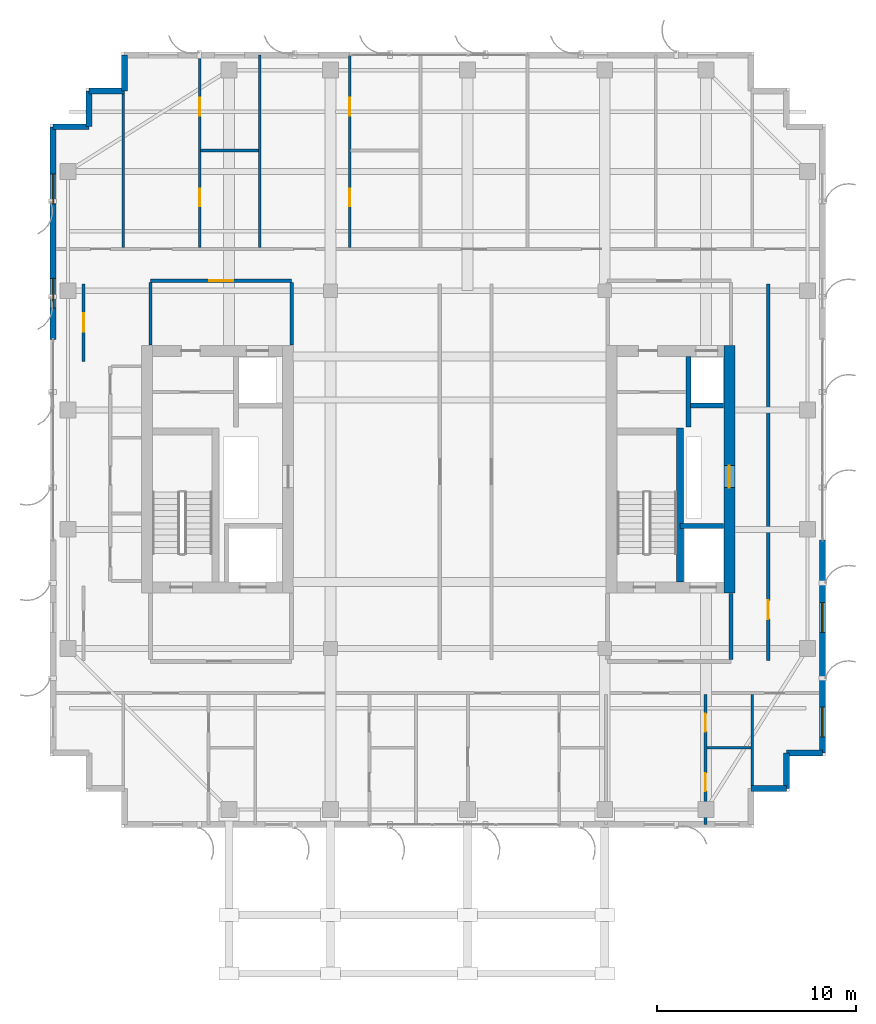
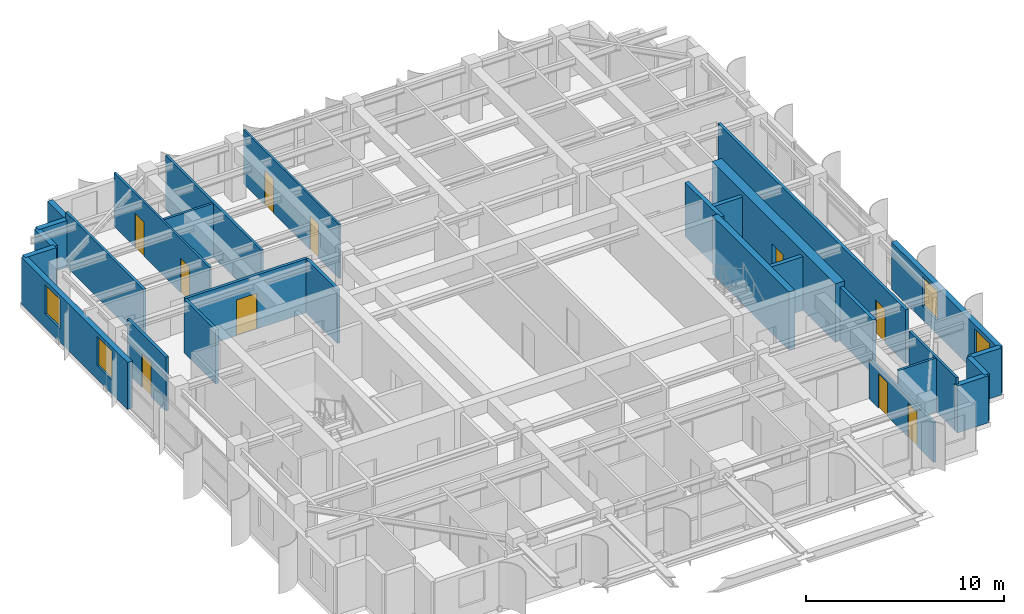
# One storey, part 16 of 19: 28 walls, 10 doors, 4 windows, 14 openings.
"""IFC4 building model written with IfcOpenShell, lengths in metres."""

from ifc_helpers import new_model, si_unit, direction, frame, frame_2d, origin, place, context, subcontext, project, spatial, rectangle, extrude, source, transform, mapped, material, layer, layer_set, type_object, element, fill, save


model = new_model("IFC4")

# Units and contexts
model_context = context("Model", 3, precision=1e-05, world=origin(), true_north=direction((0.0, 1.0)))
body_context = subcontext(model_context, "Body", "Model", "MODEL_VIEW")
ifc_project = project(units=[si_unit("LENGTHUNIT", "METRE"), si_unit("AREAUNIT", "SQUARE_METRE"), si_unit("VOLUMEUNIT", "CUBIC_METRE"), si_unit("PLANEANGLEUNIT", "RADIAN"), si_unit("MASSUNIT", "GRAM", prefix="KILO")], contexts=[model_context])

# Site, building, storey
site_placement = place(None, origin())
site = spatial("IfcSite", under=ifc_project, at=site_placement, CompositionType="ELEMENT")
building_placement = place(site_placement, origin())
building = spatial("IfcBuilding", under=site, at=building_placement, Name="Khoralis Quay Care Tower", CompositionType="ELEMENT")
storey_placement = place(building_placement, frame((0.0, 0.0, 281.699951171875)))
storey = spatial("IfcBuildingStorey", under=building, at=storey_placement, Name="L74", CompositionType="ELEMENT", Elevation=281.699951171875)

# Wall
ifc_material_1 = material(Name="Gypsum plasterboard on acoustic metal stud")
ifc_layer_1 = layer(ifc_material_1, 0.199951171875)
ifc_layer_set_1 = layer_set([ifc_layer_1], Name="Gypsum plasterboard on acoustic metal stud")
wall_type_1 = type_object("IfcWallType", Name="WL-COMP-200", PredefinedType="PARTITIONING", material=ifc_layer_set_1)
wall_1_placement = place(storey_placement, frame((37.25, 11.445068359375, 0.0), z_axis=(0.0, 0.0, 1.0), x_axis=(0.0, 1.0, 0.0)))
element("IfcWall", 1, at=wall_1_placement, inside=storey, type_object=wall_type_1, Name="L74 East Firefighting Lobby East Wall", PredefinedType="PARTITIONING", context=body_context, shape_type="SweptSolid", body=[
    extrude(rectangle(XDim=3.3349609375, YDim=0.199951171875, at=frame_2d((1.66748046875, 0.0))), origin(), (0.0, 0.0, 1.0), 3.320068359375),
])

# Wall, opening, door
ifc_material_2 = material(Name="Concrete C65/80", Category="concrete")
ifc_layer_2 = layer(ifc_material_2, 0.550048828125)
ifc_layer_set_2 = layer_set([ifc_layer_2], Name="Concrete C65/80")
wall_type_2 = type_object("IfcWallType", Name="WL-CORE-550", PredefinedType="SHEAR", material=ifc_layer_set_2)
wall_2_placement = place(storey_placement, frame((37.175048828125, 14.800048828125, 0.0), z_axis=(0.0, 0.0, 1.0), x_axis=(0.0, 1.0, 0.0)))
wall_2 = element("IfcWall", 2, at=wall_2_placement, inside=storey, type_object=wall_type_2, Name="L74 ECORE East Shear Wall", PredefinedType="SHEAR", context=body_context, shape_type="SweptSolid", body=[
    extrude(rectangle(XDim=12.449951171875, YDim=0.550048828125, at=frame_2d((6.22509765625, 0.0))), origin(), (0.0, 0.0, 1.0), 3.60009765625),
])
opening_1_placement = place(wall_2_placement, frame((5.300048828125, 0.0, 0.0)))
opening_1 = element("IfcOpeningElement", 3, at=opening_1_placement, cuts=wall_2, Name="Opening SD1", PredefinedType="OPENING", context=body_context, shape_type="SweptSolid", body=[
    extrude(rectangle(XDim=1.10009765625, YDim=2.199951171875, at=frame_2d((0.550048828125, 1.10009765625))), frame((0.0, 0.28515625, 0.0), z_axis=(0.0, -1.0, 0.0), x_axis=(1.0, 0.0, 0.0)), (0.0, 0.0, 1.0), 0.570068359375),
])
ifc_material_3 = material(Name="Fire-rated painted steel", Category="steel")
door_type_1 = type_object("IfcDoorType", Name="DR-STAIR-1100X2200", OperationType="NOTDEFINED", PredefinedType="DOOR", material=ifc_material_3)
shared_shape_1 = source(origin(), body_context, "Body", "SweptSolid", [
    extrude(rectangle(XDim=1.10009765625, YDim=2.199951171875, at=frame_2d((0.550048828125, 1.10009765625))), frame((0.0, 0.02490234375, 0.0), z_axis=(0.0, -1.0, 0.0), x_axis=(1.0, 0.0, 0.0)), (0.0, 0.0, 1.0), 0.050048828125),
])
door_1_placement = place(opening_1_placement, frame((1.10009765625, 0.0, 0.0), z_axis=(0.0, 0.0, 1.0), x_axis=(-1.0, 0.0, 0.0)))
door_1 = element("IfcDoor", 4, at=door_1_placement, inside=storey, type_object=door_type_1, Name="L74 East MEP Riser Door", OperationType="SINGLE_SWING_LEFT", OverallHeight=2.199951171875, OverallWidth=1.10009765625, PredefinedType="DOOR", context=body_context, shape_type="MappedRepresentation", body=[
    mapped(shared_shape_1, transform((0.0, 0.0, 0.0), scale=1.0)),
])
fill(opening_1, door_1)

ifc_layer_3 = layer(ifc_material_1, 0.1650390625)
ifc_layer_set_3 = layer_set([ifc_layer_3], Name="Gypsum plasterboard on acoustic metal stud")
wall_type_3 = type_object("IfcWallType", Name="WL-CORR-165", PredefinedType="PARTITIONING", material=ifc_layer_set_3)
wall_3_placement = place(storey_placement, frame((8.050048828125, 30.5, 0.0), z_axis=(0.0, 0.0, 1.0), x_axis=(1.0, 0.0, 0.0)))
wall_3 = element("IfcWall", 5, at=wall_3_placement, inside=storey, type_object=wall_type_3, Name="L74 West Lift Lobby North Wall", PredefinedType="PARTITIONING", context=body_context, shape_type="SweptSolid", body=[
    extrude(rectangle(XDim=7.099853515625, YDim=0.1650390625, at=frame_2d((3.5498046875, 0.0))), origin(), (0.0, 0.0, 1.0), 3.320068359375),
])
opening_2_placement = place(wall_3_placement, frame((2.949951171875, 0.0, 0.0)))
opening_2 = element("IfcOpeningElement", 6, at=opening_2_placement, cuts=wall_3, Name="Opening FD1", PredefinedType="OPENING", context=body_context, shape_type="SweptSolid", body=[
    extrude(rectangle(XDim=1.199951171875, YDim=2.199951171875, at=frame_2d((0.60009765625, 1.10009765625))), frame((0.0, 0.092529296875, 0.0), z_axis=(0.0, -1.0, 0.0), x_axis=(1.0, 0.0, 0.0)), (0.0, 0.0, 1.0), 0.18505859375),
])
door_type_2 = type_object("IfcDoorType", Name="DR-FFL-1200X2200", OperationType="NOTDEFINED", PredefinedType="DOOR", material=ifc_material_3)
shared_shape_2 = source(origin(), body_context, "Body", "SweptSolid", [
    extrude(rectangle(XDim=1.199951171875, YDim=2.199951171875, at=frame_2d((0.60009765625, 1.10009765625))), frame((0.0, 0.02490234375, 0.0), z_axis=(0.0, -1.0, 0.0), x_axis=(1.0, 0.0, 0.0)), (0.0, 0.0, 1.0), 0.050048828125),
])
door_2_placement = place(opening_2_placement, origin())
door_2 = element("IfcDoor", 7, at=door_2_placement, inside=storey, type_object=door_type_2, Name="L74 West Lift Lobby Double Door", OperationType="DOUBLE_DOOR_SINGLE_SWING", OverallHeight=2.199951171875, OverallWidth=1.199951171875, PredefinedType="DOOR", context=body_context, shape_type="MappedRepresentation", body=[
    mapped(shared_shape_2, transform((0.0, 0.0, 0.0), scale=1.0)),
])
fill(opening_2, door_2)

# Walls
for number, where, z_axis, x_axis, name in (
    (8, (8.050048828125, 27.27001953125, 0.0), (0.0, 0.0, 1.0), (0.0, 1.0, 0.0), "L74 West Lift Lobby West Wall"),
    (9, (15.14990234375, 27.27001953125, 0.0), (0.0, 0.0, 1.0), (0.0, 1.0, 0.0), "L74 West Lift Lobby East Wall"),
):
    element("IfcWall", number, at=place(storey_placement, frame(where, z_axis=z_axis, x_axis=x_axis)), inside=storey, type_object=wall_type_3, Name=name, PredefinedType="PARTITIONING", context=body_context, shape_type="SweptSolid", body=[
        extrude(rectangle(XDim=3.152587890625, YDim=0.1650390625, at=frame_2d((1.576171875, 0.0))), origin(), (0.0, 0.0, 1.0), 3.320068359375),
    ])

# Wall, opening, door
wall_4_placement = place(storey_placement, frame((4.679931640625, 26.449951171875, 0.0), z_axis=(0.0, 0.0, 1.0), x_axis=(0.0, 1.0, 0.0)))
wall_4 = element("IfcWall", 10, at=wall_4_placement, inside=storey, type_object=wall_type_3, Name="L74 West Sky Sunroom North Wall", PredefinedType="PARTITIONING", context=body_context, shape_type="SweptSolid", body=[
    extrude(rectangle(XDim=3.900146484375, YDim=0.1650390625, at=frame_2d((1.9501953125, 0.0))), origin(), (0.0, 0.0, 1.0), 3.320068359375),
])
opening_3_placement = place(wall_4_placement, frame((1.47509765625, 0.0, 0.0)))
opening_3 = element("IfcOpeningElement", 11, at=opening_3_placement, cuts=wall_4, Name="Opening ID1", PredefinedType="OPENING", context=body_context, shape_type="SweptSolid", body=[
    extrude(rectangle(XDim=0.949951171875, YDim=2.10009765625, at=frame_2d((0.47509765625, 1.050048828125))), frame((0.0, 0.092529296875, 0.0), z_axis=(0.0, -1.0, 0.0), x_axis=(1.0, 0.0, 0.0)), (0.0, 0.0, 1.0), 0.18505859375),
])
ifc_material_4 = material(Name="Acoustic hardwood timber", Category="wood")
door_type_3 = type_object("IfcDoorType", Name="DR-ROOM-950X2100", OperationType="NOTDEFINED", PredefinedType="DOOR", material=ifc_material_4)
shared_shape_3 = source(origin(), body_context, "Body", "SweptSolid", [
    extrude(rectangle(XDim=0.949951171875, YDim=2.10009765625, at=frame_2d((0.47509765625, 1.050048828125))), frame((0.0, 0.02490234375, 0.0), z_axis=(0.0, -1.0, 0.0), x_axis=(1.0, 0.0, 0.0)), (0.0, 0.0, 1.0), 0.050048828125),
])
door_3_placement = place(opening_3_placement, frame((0.949951171875, 0.0, 0.0), z_axis=(0.0, 0.0, 1.0), x_axis=(-1.0, 0.0, 0.0)))
door_3 = element("IfcDoor", 12, at=door_3_placement, inside=storey, type_object=door_type_3, Name="L74 West Study Door", OperationType="SINGLE_SWING_RIGHT", OverallHeight=2.10009765625, OverallWidth=0.949951171875, PredefinedType="DOOR", context=body_context, shape_type="MappedRepresentation", body=[
    mapped(shared_shape_3, transform((0.0, 0.0, 0.0), scale=1.0)),
])
fill(opening_3, door_3)

wall_5_placement = place(storey_placement, frame((39.1201171875, 11.39990234375, 0.0), z_axis=(0.0, 0.0, 1.0), x_axis=(0.0, 1.0, 0.0)))
wall_5 = element("IfcWall", 13, at=wall_5_placement, inside=storey, type_object=wall_type_3, Name="L74 East Sky Suite Wall", PredefinedType="PARTITIONING", context=body_context, shape_type="SweptSolid", body=[
    extrude(rectangle(XDim=18.9501953125, YDim=0.1650390625, at=frame_2d((9.47509765625, 0.0))), origin(), (0.0, 0.0, 1.0), 3.320068359375),
])
opening_4_placement = place(wall_5_placement, frame((2.074951171875, 0.0, 0.0)))
opening_4 = element("IfcOpeningElement", 14, at=opening_4_placement, cuts=wall_5, Name="Opening ID1", PredefinedType="OPENING", context=body_context, shape_type="SweptSolid", body=[
    extrude(rectangle(XDim=0.949951171875, YDim=2.10009765625, at=frame_2d((0.47509765625, 1.050048828125))), frame((0.0, 0.092529296875, 0.0), z_axis=(0.0, -1.0, 0.0), x_axis=(1.0, 0.0, 0.0)), (0.0, 0.0, 1.0), 0.18505859375),
])
door_4_placement = place(opening_4_placement, origin())
door_4 = element("IfcDoor", 15, at=door_4_placement, inside=storey, type_object=door_type_3, Name="L74 East Suite Door", OperationType="SINGLE_SWING_RIGHT", OverallHeight=2.10009765625, OverallWidth=0.949951171875, PredefinedType="DOOR", context=body_context, shape_type="MappedRepresentation", body=[
    mapped(shared_shape_3, transform((0.0, 0.0, 0.0), scale=1.0)),
])
fill(opening_4, door_4)

# Walls
ifc_material_5 = material(Name="Precast concrete C45/55", Category="concrete")
ifc_layer_4 = layer(ifc_material_5, 0.300048828125)
ifc_layer_set_4 = layer_set([ifc_layer_4], Name="Precast concrete C45/55")
wall_type_4 = type_object("IfcWallType", Name="WL-EXT-REF-300", PredefinedType="SOLIDWALL", material=ifc_layer_set_4)
for number, where, z_axis, x_axis, name in (
    (16, (38.25, 4.949951171875, 0.0), (0.0, 0.0, 1.0), (1.0, 0.0, 0.0), "L74 External Facade Wall WL-EXT-L74-P1-C2"),
    (17, (40.050048828125, 4.949951171875, 0.0), (0.0, 0.0, 1.0), (0.0, 1.0, 0.0), "L74 External Facade Wall WL-EXT-L74-P1-C3"),
    (18, (40.050048828125, 6.75, 0.0), (0.0, 0.0, 1.0), (1.0, 0.0, 0.0), "L74 External Facade Wall WL-EXT-L74-P1-C4"),
):
    element("IfcWall", number, at=place(storey_placement, frame(where, z_axis=z_axis, x_axis=x_axis)), inside=storey, type_object=wall_type_4, Name=name, PredefinedType="SOLIDWALL", context=body_context, shape_type="SweptSolid", body=[
        extrude(rectangle(XDim=1.800048828125, YDim=0.300048828125, at=frame_2d((0.89990234375, 0.0))), origin(), (0.0, 0.0, 1.0), 2.900146484375),
    ])

# Wall, openings, windows
wall_6_placement = place(storey_placement, frame((41.85009765625, 6.75, 0.0), z_axis=(0.0, 0.0, 1.0), x_axis=(0.0, 1.0, 0.0)))
wall_6 = element("IfcWall", 19, at=wall_6_placement, inside=storey, type_object=wall_type_4, Name="L74 External Facade Wall WL-EXT-L74-P1-E5A", PredefinedType="SOLIDWALL", context=body_context, shape_type="SweptSolid", body=[
    extrude(rectangle(XDim=10.7099609375, YDim=0.300048828125, at=frame_2d((5.35498046875, 0.0))), origin(), (0.0, 0.0, 1.0), 2.900146484375),
])
opening_5_placement = place(wall_6_placement, frame((0.804931640625, 0.0, 0.85009765625)))
opening_5 = element("IfcOpeningElement", 20, at=opening_5_placement, cuts=wall_6, Name="Opening W3", PredefinedType="OPENING", context=body_context, shape_type="SweptSolid", body=[
    extrude(rectangle(XDim=1.5, YDim=1.800048828125, at=frame_2d((0.75, 0.89990234375))), frame((0.0, 0.16015625, 0.0), z_axis=(0.0, -1.0, 0.0), x_axis=(1.0, 0.0, 0.0)), (0.0, 0.0, 1.0), 0.320068359375),
])
opening_6_placement = place(wall_6_placement, frame((6.06005859375, 0.0, 0.85009765625)))
opening_6 = element("IfcOpeningElement", 21, at=opening_6_placement, cuts=wall_6, Name="Opening W3", PredefinedType="OPENING", context=body_context, shape_type="SweptSolid", body=[
    extrude(rectangle(XDim=1.5, YDim=1.800048828125, at=frame_2d((0.75, 0.89990234375))), frame((0.0, 0.16015625, 0.0), z_axis=(0.0, -1.0, 0.0), x_axis=(1.0, 0.0, 0.0)), (0.0, 0.0, 1.0), 0.320068359375),
])
ifc_material_6 = material(Name="Low-E solar-control double glazing", Category="glass")
window_type = type_object("IfcWindowType", Name="WN-CLIN-1500X1800", PartitioningType="SINGLE_PANEL", PredefinedType="WINDOW", material=ifc_material_6)
shared_shape_4 = source(origin(), body_context, "Body", "SweptSolid", [
    extrude(rectangle(XDim=1.5, YDim=1.800048828125, at=frame_2d((0.75, 0.89990234375))), frame((0.0, 0.030029296875, 0.0), z_axis=(0.0, -1.0, 0.0), x_axis=(1.0, 0.0, 0.0)), (0.0, 0.0, 1.0), 0.06005859375),
])
window_1_placement = place(opening_5_placement, origin())
window_1 = element("IfcWindow", 22, at=window_1_placement, inside=storey, type_object=window_type, Name="WN-L74-P1-E5A Facade Window 01", OverallHeight=1.800048828125, OverallWidth=1.5, PartitioningType="SINGLE_PANEL", PredefinedType="WINDOW", context=body_context, shape_type="MappedRepresentation", body=[
    mapped(shared_shape_4, transform((0.0, 0.0, 0.0), scale=1.0)),
])
fill(opening_5, window_1)
window_2_placement = place(opening_6_placement, origin())
window_2 = element("IfcWindow", 23, at=window_2_placement, inside=storey, type_object=window_type, Name="WN-L74-P1-E5A Facade Window 02", OverallHeight=1.800048828125, OverallWidth=1.5, PartitioningType="SINGLE_PANEL", PredefinedType="WINDOW", context=body_context, shape_type="MappedRepresentation", body=[
    mapped(shared_shape_4, transform((0.0, 0.0, 0.0), scale=1.0)),
])
fill(opening_6, window_2)

# Walls
for number, where, z_axis, x_axis, name in (
    (24, (6.75, 41.85009765625, 0.0), (0.0, 0.0, 1.0), (0.0, -1.0, 0.0), "L74 External Facade Wall WL-EXT-L74-P1-C11"),
    (25, (6.75, 40.050048828125, 0.0), (0.0, 0.0, 1.0), (-1.0, 0.0, 0.0), "L74 External Facade Wall WL-EXT-L74-P1-C12"),
    (26, (4.949951171875, 40.050048828125, 0.0), (0.0, 0.0, 1.0), (0.0, -1.0, 0.0), "L74 External Facade Wall WL-EXT-L74-P1-C13"),
    (27, (4.949951171875, 38.25, 0.0), (0.0, 0.0, 1.0), (-1.0, 0.0, 0.0), "L74 External Facade Wall WL-EXT-L74-P1-C14"),
):
    element("IfcWall", number, at=place(storey_placement, frame(where, z_axis=z_axis, x_axis=x_axis)), inside=storey, type_object=wall_type_4, Name=name, PredefinedType="SOLIDWALL", context=body_context, shape_type="SweptSolid", body=[
        extrude(rectangle(XDim=1.800048828125, YDim=0.300048828125, at=frame_2d((0.89990234375, 0.0))), origin(), (0.0, 0.0, 1.0), 2.900146484375),
    ])

# Wall, openings, windows
wall_7_placement = place(storey_placement, frame((3.14990234375, 38.25, 0.0), z_axis=(0.0, 0.0, 1.0), x_axis=(0.0, -1.0, 0.0)))
wall_7 = element("IfcWall", 28, at=wall_7_placement, inside=storey, type_object=wall_type_4, Name="L74 External Facade Wall WL-EXT-L74-P1-E15A", PredefinedType="SOLIDWALL", context=body_context, shape_type="SweptSolid", body=[
    extrude(rectangle(XDim=10.7099609375, YDim=0.300048828125, at=frame_2d((5.35498046875, 0.0))), origin(), (0.0, 0.0, 1.0), 2.900146484375),
])
opening_7_placement = place(wall_7_placement, frame((2.375, 0.0, 0.85009765625)))
opening_7 = element("IfcOpeningElement", 29, at=opening_7_placement, cuts=wall_7, Name="Opening W3", PredefinedType="OPENING", context=body_context, shape_type="SweptSolid", body=[
    extrude(rectangle(XDim=1.5, YDim=1.800048828125, at=frame_2d((0.75, 0.89990234375))), frame((0.0, 0.16015625, 0.0), z_axis=(0.0, -1.0, 0.0), x_axis=(1.0, 0.0, 0.0)), (0.0, 0.0, 1.0), 0.320068359375),
])
opening_8_placement = place(wall_7_placement, frame((7.6298828125, 0.0, 0.85009765625)))
opening_8 = element("IfcOpeningElement", 30, at=opening_8_placement, cuts=wall_7, Name="Opening W3", PredefinedType="OPENING", context=body_context, shape_type="SweptSolid", body=[
    extrude(rectangle(XDim=1.5, YDim=1.800048828125, at=frame_2d((0.75, 0.89990234375))), frame((0.0, 0.16015625, 0.0), z_axis=(0.0, -1.0, 0.0), x_axis=(1.0, 0.0, 0.0)), (0.0, 0.0, 1.0), 0.320068359375),
])
window_3_placement = place(opening_7_placement, origin())
window_3 = element("IfcWindow", 31, at=window_3_placement, inside=storey, type_object=window_type, Name="WN-L74-P1-E15A Facade Window 01", OverallHeight=1.800048828125, OverallWidth=1.5, PartitioningType="SINGLE_PANEL", PredefinedType="WINDOW", context=body_context, shape_type="MappedRepresentation", body=[
    mapped(shared_shape_4, transform((0.0, 0.0, 0.0), scale=1.0)),
])
fill(opening_7, window_3)
window_4_placement = place(opening_8_placement, origin())
window_4 = element("IfcWindow", 32, at=window_4_placement, inside=storey, type_object=window_type, Name="WN-L74-P1-E15A Facade Window 02", OverallHeight=1.800048828125, OverallWidth=1.5, PartitioningType="SINGLE_PANEL", PredefinedType="WINDOW", context=body_context, shape_type="MappedRepresentation", body=[
    mapped(shared_shape_4, transform((0.0, 0.0, 0.0), scale=1.0)),
])
fill(opening_8, window_4)

# Wall, openings, doors
ifc_layer_5 = layer(ifc_material_1, 0.114990234375)
ifc_layer_set_5 = layer_set([ifc_layer_5], Name="Gypsum plasterboard on acoustic metal stud")
wall_type_5 = type_object("IfcWallType", Name="WL-PART-115", PredefinedType="PARTITIONING", material=ifc_layer_set_5)
wall_8_placement = place(storey_placement, frame((10.52197265625, 32.177490234375, 0.0), z_axis=(0.0, 0.0, 1.0), x_axis=(0.0, 1.0, 0.0)))
wall_8 = element("IfcWall", 33, at=wall_8_placement, inside=storey, type_object=wall_type_5, Name="L74 Studio 0 Internal Wall", PredefinedType="PARTITIONING", context=body_context, shape_type="SweptSolid", body=[
    extrude(rectangle(XDim=9.677490234375, YDim=0.114990234375, at=frame_2d((4.8388671875, 0.0))), origin(), (0.0, 0.0, 1.0), 3.320068359375),
])
opening_9_placement = place(wall_8_placement, frame((6.62255859375, 0.0, 0.0)))
opening_9 = element("IfcOpeningElement", 34, at=opening_9_placement, cuts=wall_8, Name="Opening WD1", PredefinedType="OPENING", context=body_context, shape_type="SweptSolid", body=[
    extrude(rectangle(XDim=0.89990234375, YDim=2.10009765625, at=frame_2d((0.449951171875, 1.050048828125))), frame((0.0, 0.0673828125, 0.0), z_axis=(0.0, -1.0, 0.0), x_axis=(1.0, 0.0, 0.0)), (0.0, 0.0, 1.0), 0.135009765625),
])
opening_10_placement = place(wall_8_placement, frame((2.0625, 0.0, 0.0)))
opening_10 = element("IfcOpeningElement", 35, at=opening_10_placement, cuts=wall_8, Name="Opening WD1", PredefinedType="OPENING", context=body_context, shape_type="SweptSolid", body=[
    extrude(rectangle(XDim=0.89990234375, YDim=2.10009765625, at=frame_2d((0.449951171875, 1.050048828125))), frame((0.0, 0.0673828125, 0.0), z_axis=(0.0, -1.0, 0.0), x_axis=(1.0, 0.0, 0.0)), (0.0, 0.0, 1.0), 0.135009765625),
])
door_type_4 = type_object("IfcDoorType", Name="DR-BATH-900X2100", OperationType="NOTDEFINED", PredefinedType="DOOR", material=ifc_material_4)
shared_shape_5 = source(origin(), body_context, "Body", "SweptSolid", [
    extrude(rectangle(XDim=0.89990234375, YDim=2.10009765625, at=frame_2d((0.449951171875, 1.050048828125))), frame((0.0, 0.02490234375, 0.0), z_axis=(0.0, -1.0, 0.0), x_axis=(1.0, 0.0, 0.0)), (0.0, 0.0, 1.0), 0.050048828125),
])
door_5_placement = place(opening_9_placement, frame((0.89990234375, 0.0, 0.0), z_axis=(0.0, 0.0, 1.0), x_axis=(-1.0, 0.0, 0.0)))
door_5 = element("IfcDoor", 36, at=door_5_placement, inside=storey, type_object=door_type_4, Name="L74 Studio SKT Door", OperationType="SINGLE_SWING_LEFT", OverallHeight=2.10009765625, OverallWidth=0.89990234375, PredefinedType="DOOR", context=body_context, shape_type="MappedRepresentation", body=[
    mapped(shared_shape_5, transform((0.0, 0.0, 0.0), scale=1.0)),
])
fill(opening_9, door_5)
door_6_placement = place(opening_10_placement, frame((0.89990234375, 0.0, 0.0), z_axis=(0.0, 0.0, 1.0), x_axis=(-1.0, 0.0, 0.0)))
door_6 = element("IfcDoor", 37, at=door_6_placement, inside=storey, type_object=door_type_4, Name="L74 Studio SBH Door", OperationType="SINGLE_SWING_RIGHT", OverallHeight=2.10009765625, OverallWidth=0.89990234375, PredefinedType="DOOR", context=body_context, shape_type="MappedRepresentation", body=[
    mapped(shared_shape_5, transform((0.0, 0.0, 0.0), scale=1.0)),
])
fill(opening_10, door_6)

wall_9_placement = place(storey_placement, frame((18.070068359375, 32.177490234375, 0.0), z_axis=(0.0, 0.0, 1.0), x_axis=(0.0, 1.0, 0.0)))
wall_9 = element("IfcWall", 38, at=wall_9_placement, inside=storey, type_object=wall_type_5, Name="L74 Studio 1 Internal Wall", PredefinedType="PARTITIONING", context=body_context, shape_type="SweptSolid", body=[
    extrude(rectangle(XDim=9.677490234375, YDim=0.114990234375, at=frame_2d((4.8388671875, 0.0))), origin(), (0.0, 0.0, 1.0), 3.320068359375),
])
opening_11_placement = place(wall_9_placement, frame((6.62255859375, 0.0, 0.0)))
opening_11 = element("IfcOpeningElement", 39, at=opening_11_placement, cuts=wall_9, Name="Opening WD1", PredefinedType="OPENING", context=body_context, shape_type="SweptSolid", body=[
    extrude(rectangle(XDim=0.89990234375, YDim=2.10009765625, at=frame_2d((0.449951171875, 1.050048828125))), frame((0.0, 0.0673828125, 0.0), z_axis=(0.0, -1.0, 0.0), x_axis=(1.0, 0.0, 0.0)), (0.0, 0.0, 1.0), 0.135009765625),
])
opening_12_placement = place(wall_9_placement, frame((2.0625, 0.0, 0.0)))
opening_12 = element("IfcOpeningElement", 40, at=opening_12_placement, cuts=wall_9, Name="Opening WD1", PredefinedType="OPENING", context=body_context, shape_type="SweptSolid", body=[
    extrude(rectangle(XDim=0.89990234375, YDim=2.10009765625, at=frame_2d((0.449951171875, 1.050048828125))), frame((0.0, 0.0673828125, 0.0), z_axis=(0.0, -1.0, 0.0), x_axis=(1.0, 0.0, 0.0)), (0.0, 0.0, 1.0), 0.135009765625),
])
door_7_placement = place(opening_11_placement, frame((0.89990234375, 0.0, 0.0), z_axis=(0.0, 0.0, 1.0), x_axis=(-1.0, 0.0, 0.0)))
door_7 = element("IfcDoor", 41, at=door_7_placement, inside=storey, type_object=door_type_4, Name="L74 Studio SKT Door", OperationType="SINGLE_SWING_RIGHT", OverallHeight=2.10009765625, OverallWidth=0.89990234375, PredefinedType="DOOR", context=body_context, shape_type="MappedRepresentation", body=[
    mapped(shared_shape_5, transform((0.0, 0.0, 0.0), scale=1.0)),
])
fill(opening_11, door_7)
door_8_placement = place(opening_12_placement, frame((0.89990234375, 0.0, 0.0), z_axis=(0.0, 0.0, 1.0), x_axis=(-1.0, 0.0, 0.0)))
door_8 = element("IfcDoor", 42, at=door_8_placement, inside=storey, type_object=door_type_4, Name="L74 Studio SBH Door", OperationType="SINGLE_SWING_LEFT", OverallHeight=2.10009765625, OverallWidth=0.89990234375, PredefinedType="DOOR", context=body_context, shape_type="MappedRepresentation", body=[
    mapped(shared_shape_5, transform((0.0, 0.0, 0.0), scale=1.0)),
])
fill(opening_12, door_8)

ifc_material_7 = material(Name="Moisture-resistant gypsum and ceramic tile")
ifc_layer_6 = layer(ifc_material_7, 0.280029296875)
ifc_layer_set_6 = layer_set([ifc_layer_6], Name="Moisture-resistant gypsum and ceramic tile")
wall_type_6 = type_object("IfcWallType", Name="WL-PLUMB-280", PredefinedType="PLUMBINGWALL", material=ifc_layer_set_6)
wall_10_placement = place(storey_placement, frame((35.969970703125, 3.14501953125, 0.0), z_axis=(0.0, 0.0, 1.0), x_axis=(0.0, 1.0, 0.0)))
wall_10 = element("IfcWall", 43, at=wall_10_placement, inside=storey, type_object=wall_type_6, Name="L74 Care Suite 3 En-Suite Wall V", PredefinedType="PLUMBINGWALL", context=body_context, shape_type="SweptSolid", body=[
    extrude(rectangle(XDim=6.53759765625, YDim=0.139892578125, at=frame_2d((3.268798828125, 0.0))), origin(), (0.0, 0.0, 1.0), 2.469970703125),
])
opening_13_placement = place(wall_10_placement, frame((4.675048828125, 0.0, 0.0)))
opening_13 = element("IfcOpeningElement", 44, at=opening_13_placement, cuts=wall_10, Name="Opening WD1", PredefinedType="OPENING", context=body_context, shape_type="SweptSolid", body=[
    extrude(rectangle(XDim=0.89990234375, YDim=2.10009765625, at=frame_2d((0.449951171875, 1.050048828125))), frame((0.0, 0.080078125, 0.0), z_axis=(0.0, -1.0, 0.0), x_axis=(1.0, 0.0, 0.0)), (0.0, 0.0, 1.0), 0.159912109375),
])
opening_14_placement = place(wall_10_placement, frame((1.68505859375, 0.0, 0.0)))
opening_14 = element("IfcOpeningElement", 45, at=opening_14_placement, cuts=wall_10, Name="Opening WD1", PredefinedType="OPENING", context=body_context, shape_type="SweptSolid", body=[
    extrude(rectangle(XDim=0.89990234375, YDim=2.10009765625, at=frame_2d((0.449951171875, 1.050048828125))), frame((0.0, 0.080078125, 0.0), z_axis=(0.0, -1.0, 0.0), x_axis=(1.0, 0.0, 0.0)), (0.0, 0.0, 1.0), 0.159912109375),
])
door_9_placement = place(opening_13_placement, frame((0.89990234375, 0.0, 0.0), z_axis=(0.0, 0.0, 1.0), x_axis=(-1.0, 0.0, 0.0)))
door_9 = element("IfcDoor", 46, at=door_9_placement, inside=storey, type_object=door_type_4, Name="L74 Care CENS Door", OperationType="SINGLE_SWING_RIGHT", OverallHeight=2.10009765625, OverallWidth=0.89990234375, PredefinedType="DOOR", context=body_context, shape_type="MappedRepresentation", body=[
    mapped(shared_shape_5, transform((0.0, 0.0, 0.0), scale=1.0)),
])
fill(opening_13, door_9)
door_10_placement = place(opening_14_placement, frame((0.89990234375, 0.0, 0.0), z_axis=(0.0, 0.0, 1.0), x_axis=(-1.0, 0.0, 0.0)))
door_10 = element("IfcDoor", 47, at=door_10_placement, inside=storey, type_object=door_type_4, Name="L74 Care CSIT Door", OperationType="SINGLE_SWING_LEFT", OverallHeight=2.10009765625, OverallWidth=0.89990234375, PredefinedType="DOOR", context=body_context, shape_type="MappedRepresentation", body=[
    mapped(shared_shape_5, transform((0.0, 0.0, 0.0), scale=1.0)),
])
fill(opening_14, door_10)

# Walls
wall_11_placement = place(storey_placement, frame((36.034912109375, 7.010009765625, 0.0), z_axis=(0.0, 0.0, 1.0), x_axis=(1.0, 0.0, 0.0)))
element("IfcWall", 48, at=wall_11_placement, inside=storey, type_object=wall_type_6, Name="L74 Care Suite 3 En-Suite Wall H", PredefinedType="PLUMBINGWALL", context=body_context, shape_type="SweptSolid", body=[
    extrude(rectangle(XDim=2.219970703125, YDim=0.139892578125, at=frame_2d((1.10986328125, 0.0))), origin(), (0.0, 0.0, 1.0), 3.320068359375),
])
wall_12_placement = place(storey_placement, frame((10.574462890625, 37.050048828125, 0.0), z_axis=(0.0, 0.0, 1.0), x_axis=(1.0, 0.0, 0.0)))
element("IfcWall", 49, at=wall_12_placement, inside=storey, type_object=wall_type_6, Name="L74 Studio 0 Wet Split", PredefinedType="PLUMBINGWALL", context=body_context, shape_type="SweptSolid", body=[
    extrude(rectangle(XDim=2.900634765625, YDim=0.139892578125, at=frame_2d((1.4501953125, 0.0))), origin(), (0.0, 0.0, 1.0), 3.320068359375),
])
ifc_material_8 = material(Name="Concrete C40/50", Category="concrete")
ifc_layer_7 = layer(ifc_material_8, 0.35009765625)
ifc_layer_set_7 = layer_set([ifc_layer_7], Name="Concrete C40/50")
wall_type_7 = type_object("IfcWallType", Name="WL-SC-CORE-350", PredefinedType="SHEAR", material=ifc_layer_set_7)
wall_13_placement = place(storey_placement, frame((34.695068359375, 15.35009765625, 0.0), z_axis=(0.0, 0.0, 1.0), x_axis=(0.0, 1.0, 0.0)))
element("IfcWall", 50, at=wall_13_placement, inside=storey, type_object=wall_type_7, Name="L74 Stair ST-T2 Shear Baffle Wall East", PredefinedType="SHEAR", context=body_context, shape_type="SweptSolid", body=[
    extrude(rectangle(XDim=7.75, YDim=0.35009765625, at=frame_2d((3.875, 0.0))), origin(), (0.0, 0.0, 1.0), 3.60009765625),
])
ifc_layer_8 = layer(ifc_material_1, 0.239990234375)
ifc_layer_set_8 = layer_set([ifc_layer_8], Name="Gypsum plasterboard on acoustic metal stud")
wall_type_8 = type_object("IfcWallType", Name="WL-SHAFT-240", PredefinedType="PARTITIONING", material=ifc_layer_set_8)
wall_14_placement = place(storey_placement, frame((34.679931640625, 18.169921875, 0.0), z_axis=(0.0, 0.0, 1.0), x_axis=(1.0, 0.0, 0.0)))
element("IfcWall", 51, at=wall_14_placement, inside=storey, type_object=wall_type_8, Name="L74 FFL-2 Shaft Wall North", PredefinedType="PARTITIONING", context=body_context, shape_type="SweptSolid", body=[
    extrude(rectangle(XDim=2.199951171875, YDim=0.239990234375, at=frame_2d((1.10009765625, 0.0))), origin(), (0.0, 0.0, 1.0), 3.320068359375),
])
wall_15_placement = place(storey_placement, frame((35.110107421875, 23.139892578125, 0.0), z_axis=(0.0, 0.0, 1.0), x_axis=(0.0, 1.0, 0.0)))
element("IfcWall", 52, at=wall_15_placement, inside=storey, type_object=wall_type_8, Name="L74 High-Rise Reclaimed Bay Wall East", PredefinedType="PARTITIONING", context=body_context, shape_type="SweptSolid", body=[
    extrude(rectangle(XDim=3.5400390625, YDim=0.239990234375, at=frame_2d((1.77001953125, 0.0))), origin(), (0.0, 0.0, 1.0), 3.320068359375),
])
wall_16_placement = place(storey_placement, frame((35.22509765625, 24.22998046875, 0.0), z_axis=(0.0, 0.0, 1.0), x_axis=(1.0, 0.0, 0.0)))
element("IfcWall", 53, at=wall_16_placement, inside=storey, type_object=wall_type_8, Name="L74 High-Rise Shaft South Wall East", PredefinedType="PARTITIONING", context=body_context, shape_type="SweptSolid", body=[
    extrude(rectangle(XDim=1.65478515625, YDim=0.239990234375, at=frame_2d((0.827392578125, 0.0))), origin(), (0.0, 0.0, 1.0), 3.320068359375),
])
ifc_layer_9 = layer(ifc_material_1, 0.139892578125)
ifc_layer_set_9 = layer_set([ifc_layer_9], Name="Gypsum plasterboard on acoustic metal stud")
wall_type_9 = type_object("IfcWallType", Name="WL-UNIT-140", PredefinedType="PARTITIONING", material=ifc_layer_set_9)
wall_17_placement = place(storey_placement, frame((38.320068359375, 4.945068359375, 0.0), z_axis=(0.0, 0.0, 1.0), x_axis=(0.0, 1.0, 0.0)))
element("IfcWall", 54, at=wall_17_placement, inside=storey, type_object=wall_type_9, Name="L74 SB Demising Wall 4", PredefinedType="PARTITIONING", context=body_context, shape_type="SweptSolid", body=[
    extrude(rectangle(XDim=4.737548828125, YDim=0.139892578125, at=frame_2d((2.36865234375, 0.0))), origin(), (0.0, 0.0, 1.0), 3.320068359375),
])
wall_18_placement = place(storey_placement, frame((6.679931640625, 32.177490234375, 0.0), z_axis=(0.0, 0.0, 1.0), x_axis=(0.0, 1.0, 0.0)))
element("IfcWall", 55, at=wall_18_placement, inside=storey, type_object=wall_type_9, Name="L74 NB Demising Wall 0", PredefinedType="PARTITIONING", context=body_context, shape_type="SweptSolid", body=[
    extrude(rectangle(XDim=7.87744140625, YDim=0.139892578125, at=frame_2d((3.938720703125, 0.0))), origin(), (0.0, 0.0, 1.0), 3.320068359375),
])
wall_19_placement = place(storey_placement, frame((13.5400390625, 32.177490234375, 0.0), z_axis=(0.0, 0.0, 1.0), x_axis=(0.0, 1.0, 0.0)))
element("IfcWall", 56, at=wall_19_placement, inside=storey, type_object=wall_type_9, Name="L74 NB Demising Wall 1", PredefinedType="PARTITIONING", context=body_context, shape_type="SweptSolid", body=[
    extrude(rectangle(XDim=9.677490234375, YDim=0.139892578125, at=frame_2d((4.8388671875, 0.0))), origin(), (0.0, 0.0, 1.0), 3.320068359375),
])

save(model, "model.ifc")
